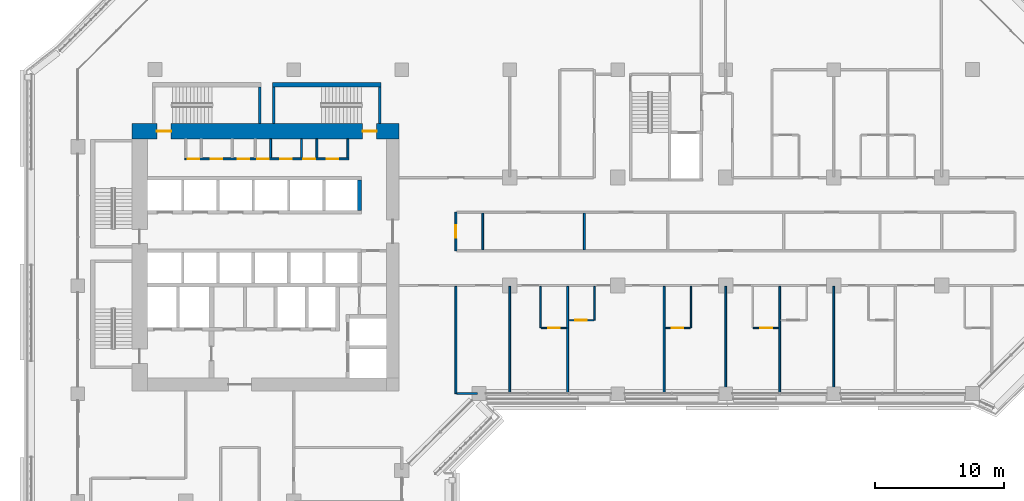
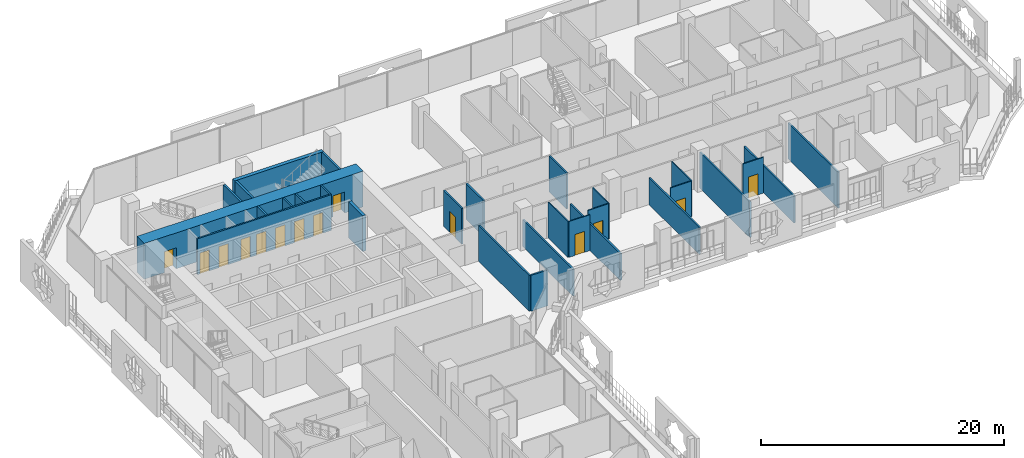
# One storey, part 15 of 25: 29 walls, 14 doors, 14 openings.
"""IFC4 building model written with IfcOpenShell, lengths in metres."""

from ifc_helpers import new_model, si_unit, direction, frame, frame_2d, origin, place, context, subcontext, project, spatial, rectangle, extrude, material, layer, layer_set, type_object, element, fill, save


model = new_model("IFC4")

# Units and contexts
model_context = context("Model", 3, precision=1e-05, world=origin(), true_north=direction((0.0, 1.0)))
body_context = subcontext(model_context, "Body", "Model", "MODEL_VIEW")
ifc_project = project(units=[si_unit("LENGTHUNIT", "METRE"), si_unit("AREAUNIT", "SQUARE_METRE"), si_unit("VOLUMEUNIT", "CUBIC_METRE"), si_unit("PLANEANGLEUNIT", "RADIAN"), si_unit("MASSUNIT", "GRAM", prefix="KILO")], contexts=[model_context])

# Site, building, storey
site_placement = place(None, origin())
site = spatial("IfcSite", under=ifc_project, at=site_placement, CompositionType="ELEMENT")
building_placement = place(site_placement, origin())
building = spatial("IfcBuilding", under=site, at=building_placement, Name="Kawkab Arch Medical Tower", CompositionType="ELEMENT")
storey_placement = place(building_placement, frame((0.0, 0.0, 132.39990234375)))
storey = spatial("IfcBuildingStorey", under=building, at=storey_placement, Name="L30", CompositionType="ELEMENT", Elevation=132.39990234375)

# Wall, openings, doors
ifc_material_1 = material(Name="Concrete C60/75", Category="concrete")
ifc_layer_1 = layer(ifc_material_1, 1.199951171875)
ifc_layer_set_1 = layer_set([ifc_layer_1], Name="Concrete C60/75")
wall_type_1 = type_object("IfcWallType", Name="Core ring wall 1200 C60/75", PredefinedType="SHEAR", material=ifc_layer_set_1)
wall_1_placement = place(storey_placement, frame((4.199951171875, -4.800048828125, 0.0), z_axis=(0.0, 0.0, 1.0), x_axis=(1.0, 0.0, 0.0)))
wall_1 = element("IfcWall", 1, at=wall_1_placement, inside=storey, type_object=wall_type_1, Name="L30 core wall", PredefinedType="SHEAR", context=body_context, shape_type="SweptSolid", body=[
    extrude(rectangle(XDim=20.800048828125, YDim=1.199951171875, at=frame_2d((10.39990234375, 0.0))), origin(), (0.0, 0.0, 1.0), 3.60009765625),
])
opening_1_placement = place(wall_1_placement, frame((1.949951171875, 0.0, 0.0)))
opening_1 = element("IfcOpeningElement", 2, at=opening_1_placement, cuts=wall_1, Name="Opening SD", PredefinedType="OPENING", context=body_context, shape_type="SweptSolid", body=[
    extrude(rectangle(XDim=1.10009765625, YDim=2.10009765625, at=frame_2d((0.550048828125, 1.050048828125))), frame((0.0, 0.60986328125, 0.0), z_axis=(0.0, -1.0, 0.0), x_axis=(1.0, 0.0, 0.0)), (0.0, 0.0, 1.0), 1.219970703125),
])
opening_2_placement = place(wall_1_placement, frame((17.949951171875, 0.0, 0.0)))
opening_2 = element("IfcOpeningElement", 3, at=opening_2_placement, cuts=wall_1, Name="Opening SD", PredefinedType="OPENING", context=body_context, shape_type="SweptSolid", body=[
    extrude(rectangle(XDim=1.10009765625, YDim=2.10009765625, at=frame_2d((0.550048828125, 1.050048828125))), frame((0.0, 0.60986328125, 0.0), z_axis=(0.0, -1.0, 0.0), x_axis=(1.0, 0.0, 0.0)), (0.0, 0.0, 1.0), 1.219970703125),
])
ifc_material_2 = material(Name="Hollow metal fire door leaf")
door_type_1 = type_object("IfcDoorType", Name="Exit stair door 1100", OperationType="SINGLE_SWING_LEFT", PredefinedType="DOOR", material=ifc_material_2)
door_1_placement = place(opening_1_placement, origin())
door_1 = element("IfcDoor", 4, at=door_1_placement, inside=storey, type_object=door_type_1, Name="L30 Exit stair ST3 door", OperationType="SINGLE_SWING_LEFT", OverallHeight=2.10009765625, OverallWidth=1.10009765625, PredefinedType="DOOR", context=body_context, shape_type="SweptSolid", body=[
    extrude(rectangle(XDim=1.10009765625, YDim=2.10009765625, at=frame_2d((0.550048828125, 1.050048828125))), frame((0.0, 0.02490234375, 0.0), z_axis=(0.0, -1.0, 0.0), x_axis=(1.0, 0.0, 0.0)), (0.0, 0.0, 1.0), 0.050048828125),
])
fill(opening_1, door_1)
door_2_placement = place(opening_2_placement, origin())
door_2 = element("IfcDoor", 5, at=door_2_placement, inside=storey, type_object=door_type_1, Name="L30 Exit stair ST4 door", OperationType="SINGLE_SWING_LEFT", OverallHeight=2.10009765625, OverallWidth=1.10009765625, PredefinedType="DOOR", context=body_context, shape_type="SweptSolid", body=[
    extrude(rectangle(XDim=1.10009765625, YDim=2.10009765625, at=frame_2d((0.550048828125, 1.050048828125))), frame((0.0, 0.02490234375, 0.0), z_axis=(0.0, -1.0, 0.0), x_axis=(1.0, 0.0, 0.0)), (0.0, 0.0, 1.0), 0.050048828125),
])
fill(opening_2, door_2)

ifc_material_3 = material(Name="Gypsum board on steel studs", Category="steel")
ifc_layer_2 = layer(ifc_material_3, 0.14990234375)
ifc_layer_set_2 = layer_set([ifc_layer_2], Name="Gypsum board on steel studs")
wall_type_2 = type_object("IfcWallType", Name="Core room partition 150", PredefinedType="PARTITIONING", material=ifc_layer_set_2)
wall_2_placement = place(storey_placement, frame((8.324951171875, -6.949951171875, 0.0), z_axis=(0.0, 0.0, 1.0), x_axis=(1.0, 0.0, 0.0)))
wall_2 = element("IfcWall", 6, at=wall_2_placement, inside=storey, type_object=wall_type_2, Name="L30 core room partition", PredefinedType="PARTITIONING", context=body_context, shape_type="SweptSolid", body=[
    extrude(rectangle(XDim=12.75, YDim=0.14990234375, at=frame_2d((6.375, 0.0))), origin(), (0.0, 0.0, 1.0), 3.60009765625),
])
opening_3_placement = place(wall_2_placement, frame((0.22509765625, 0.0, 0.0)))
opening_3 = element("IfcOpeningElement", 7, at=opening_3_placement, cuts=wall_2, Name="Opening RD", PredefinedType="OPENING", context=body_context, shape_type="SweptSolid", body=[
    extrude(rectangle(XDim=0.89990234375, YDim=2.10009765625, at=frame_2d((0.449951171875, 1.050048828125))), frame((0.0, 0.0849609375, 0.0), z_axis=(0.0, -1.0, 0.0), x_axis=(1.0, 0.0, 0.0)), (0.0, 0.0, 1.0), 0.169921875),
])
opening_4_placement = place(wall_2_placement, frame((2.02490234375, 0.0, 0.0)))
opening_4 = element("IfcOpeningElement", 8, at=opening_4_placement, cuts=wall_2, Name="Opening RD", PredefinedType="OPENING", context=body_context, shape_type="SweptSolid", body=[
    extrude(rectangle(XDim=0.89990234375, YDim=2.10009765625, at=frame_2d((0.449951171875, 1.050048828125))), frame((0.0, 0.0849609375, 0.0), z_axis=(0.0, -1.0, 0.0), x_axis=(1.0, 0.0, 0.0)), (0.0, 0.0, 1.0), 0.169921875),
])
opening_5_placement = place(wall_2_placement, frame((4.125, 0.0, 0.0)))
opening_5 = element("IfcOpeningElement", 9, at=opening_5_placement, cuts=wall_2, Name="Opening RD", PredefinedType="OPENING", context=body_context, shape_type="SweptSolid", body=[
    extrude(rectangle(XDim=0.89990234375, YDim=2.10009765625, at=frame_2d((0.449951171875, 1.050048828125))), frame((0.0, 0.0849609375, 0.0), z_axis=(0.0, -1.0, 0.0), x_axis=(1.0, 0.0, 0.0)), (0.0, 0.0, 1.0), 0.169921875),
])
opening_6_placement = place(wall_2_placement, frame((5.625, 0.0, 0.0)))
opening_6 = element("IfcOpeningElement", 10, at=opening_6_placement, cuts=wall_2, Name="Opening RD", PredefinedType="OPENING", context=body_context, shape_type="SweptSolid", body=[
    extrude(rectangle(XDim=0.89990234375, YDim=2.10009765625, at=frame_2d((0.449951171875, 1.050048828125))), frame((0.0, 0.0849609375, 0.0), z_axis=(0.0, -1.0, 0.0), x_axis=(1.0, 0.0, 0.0)), (0.0, 0.0, 1.0), 0.169921875),
])
opening_7_placement = place(wall_2_placement, frame((7.425048828125, 0.0, 0.0)))
opening_7 = element("IfcOpeningElement", 11, at=opening_7_placement, cuts=wall_2, Name="Opening RD", PredefinedType="OPENING", context=body_context, shape_type="SweptSolid", body=[
    extrude(rectangle(XDim=0.89990234375, YDim=2.10009765625, at=frame_2d((0.449951171875, 1.050048828125))), frame((0.0, 0.0849609375, 0.0), z_axis=(0.0, -1.0, 0.0), x_axis=(1.0, 0.0, 0.0)), (0.0, 0.0, 1.0), 0.169921875),
])
opening_8_placement = place(wall_2_placement, frame((9.22509765625, 0.0, 0.0)))
opening_8 = element("IfcOpeningElement", 12, at=opening_8_placement, cuts=wall_2, Name="Opening RD", PredefinedType="OPENING", context=body_context, shape_type="SweptSolid", body=[
    extrude(rectangle(XDim=0.89990234375, YDim=2.10009765625, at=frame_2d((0.449951171875, 1.050048828125))), frame((0.0, 0.0849609375, 0.0), z_axis=(0.0, -1.0, 0.0), x_axis=(1.0, 0.0, 0.0)), (0.0, 0.0, 1.0), 0.169921875),
])
opening_9_placement = place(wall_2_placement, frame((11.02490234375, 0.0, 0.0)))
opening_9 = element("IfcOpeningElement", 13, at=opening_9_placement, cuts=wall_2, Name="Opening RD", PredefinedType="OPENING", context=body_context, shape_type="SweptSolid", body=[
    extrude(rectangle(XDim=0.89990234375, YDim=2.10009765625, at=frame_2d((0.449951171875, 1.050048828125))), frame((0.0, 0.0849609375, 0.0), z_axis=(0.0, -1.0, 0.0), x_axis=(1.0, 0.0, 0.0)), (0.0, 0.0, 1.0), 0.169921875),
])
ifc_material_4 = material(Name="Hollow metal fire door leaf")
door_type_2 = type_object("IfcDoorType", Name="Core room door 900", OperationType="SINGLE_SWING_LEFT", PredefinedType="DOOR", material=ifc_material_4)
door_3_placement = place(opening_3_placement, origin())
door_3 = element("IfcDoor", 14, at=door_3_placement, inside=storey, type_object=door_type_2, Name="L30 Electrical riser room door", OperationType="SINGLE_SWING_LEFT", OverallHeight=2.10009765625, OverallWidth=0.89990234375, PredefinedType="DOOR", context=body_context, shape_type="SweptSolid", body=[
    extrude(rectangle(XDim=0.89990234375, YDim=2.10009765625, at=frame_2d((0.449951171875, 1.050048828125))), frame((0.0, 0.02490234375, 0.0), z_axis=(0.0, -1.0, 0.0), x_axis=(1.0, 0.0, 0.0)), (0.0, 0.0, 1.0), 0.050048828125),
])
fill(opening_3, door_3)
door_4_placement = place(opening_4_placement, origin())
door_4 = element("IfcDoor", 15, at=door_4_placement, inside=storey, type_object=door_type_2, Name="L30 Comms room door", OperationType="SINGLE_SWING_LEFT", OverallHeight=2.10009765625, OverallWidth=0.89990234375, PredefinedType="DOOR", context=body_context, shape_type="SweptSolid", body=[
    extrude(rectangle(XDim=0.89990234375, YDim=2.10009765625, at=frame_2d((0.449951171875, 1.050048828125))), frame((0.0, 0.02490234375, 0.0), z_axis=(0.0, -1.0, 0.0), x_axis=(1.0, 0.0, 0.0)), (0.0, 0.0, 1.0), 0.050048828125),
])
fill(opening_4, door_4)
door_5_placement = place(opening_5_placement, origin())
door_5 = element("IfcDoor", 16, at=door_5_placement, inside=storey, type_object=door_type_2, Name="L30 Medical gas plant room door", OperationType="SINGLE_SWING_LEFT", OverallHeight=2.10009765625, OverallWidth=0.89990234375, PredefinedType="DOOR", context=body_context, shape_type="SweptSolid", body=[
    extrude(rectangle(XDim=0.89990234375, YDim=2.10009765625, at=frame_2d((0.449951171875, 1.050048828125))), frame((0.0, 0.02490234375, 0.0), z_axis=(0.0, -1.0, 0.0), x_axis=(1.0, 0.0, 0.0)), (0.0, 0.0, 1.0), 0.050048828125),
])
fill(opening_5, door_5)
door_6_placement = place(opening_6_placement, origin())
door_6 = element("IfcDoor", 17, at=door_6_placement, inside=storey, type_object=door_type_2, Name="L30 Sprinkler valve room door", OperationType="SINGLE_SWING_LEFT", OverallHeight=2.10009765625, OverallWidth=0.89990234375, PredefinedType="DOOR", context=body_context, shape_type="SweptSolid", body=[
    extrude(rectangle(XDim=0.89990234375, YDim=2.10009765625, at=frame_2d((0.449951171875, 1.050048828125))), frame((0.0, 0.02490234375, 0.0), z_axis=(0.0, -1.0, 0.0), x_axis=(1.0, 0.0, 0.0)), (0.0, 0.0, 1.0), 0.050048828125),
])
fill(opening_6, door_6)
door_7_placement = place(opening_7_placement, origin())
door_7 = element("IfcDoor", 18, at=door_7_placement, inside=storey, type_object=door_type_2, Name="L30 Housekeeping store door", OperationType="SINGLE_SWING_LEFT", OverallHeight=2.10009765625, OverallWidth=0.89990234375, PredefinedType="DOOR", context=body_context, shape_type="SweptSolid", body=[
    extrude(rectangle(XDim=0.89990234375, YDim=2.10009765625, at=frame_2d((0.449951171875, 1.050048828125))), frame((0.0, 0.02490234375, 0.0), z_axis=(0.0, -1.0, 0.0), x_axis=(1.0, 0.0, 0.0)), (0.0, 0.0, 1.0), 0.050048828125),
])
fill(opening_7, door_7)
door_8_placement = place(opening_8_placement, origin())
door_8 = element("IfcDoor", 19, at=door_8_placement, inside=storey, type_object=door_type_2, Name="L30 Electrical riser room door", OperationType="SINGLE_SWING_LEFT", OverallHeight=2.10009765625, OverallWidth=0.89990234375, PredefinedType="DOOR", context=body_context, shape_type="SweptSolid", body=[
    extrude(rectangle(XDim=0.89990234375, YDim=2.10009765625, at=frame_2d((0.449951171875, 1.050048828125))), frame((0.0, 0.02490234375, 0.0), z_axis=(0.0, -1.0, 0.0), x_axis=(1.0, 0.0, 0.0)), (0.0, 0.0, 1.0), 0.050048828125),
])
fill(opening_8, door_8)
door_9_placement = place(opening_9_placement, origin())
door_9 = element("IfcDoor", 20, at=door_9_placement, inside=storey, type_object=door_type_2, Name="L30 General store door", OperationType="SINGLE_SWING_LEFT", OverallHeight=2.10009765625, OverallWidth=0.89990234375, PredefinedType="DOOR", context=body_context, shape_type="SweptSolid", body=[
    extrude(rectangle(XDim=0.89990234375, YDim=2.10009765625, at=frame_2d((0.449951171875, 1.050048828125))), frame((0.0, 0.02490234375, 0.0), z_axis=(0.0, -1.0, 0.0), x_axis=(1.0, 0.0, 0.0)), (0.0, 0.0, 1.0), 0.050048828125),
])
fill(opening_9, door_9)

# Walls
for number, where, z_axis, x_axis, name in (
    (21, (15.0, -6.875, 0.0), (0.0, 0.0, 1.0), (0.0, 1.0, 0.0), "L30 core room partition"),
    (22, (17.39990234375, -6.875, 0.0), (0.0, 0.0, 1.0), (0.0, 1.0, 0.0), "L30 core room partition"),
    (23, (18.60009765625, -6.875, 0.0), (0.0, 0.0, 1.0), (0.0, 1.0, 0.0), "L30 core room partition"),
    (24, (21.0, -6.875, 0.0), (0.0, 0.0, 1.0), (0.0, 1.0, 0.0), "L30 core room partition"),
):
    element("IfcWall", number, at=place(storey_placement, frame(where, z_axis=z_axis, x_axis=x_axis)), inside=storey, type_object=wall_type_2, Name=name, PredefinedType="PARTITIONING", context=body_context, shape_type="SweptSolid", body=[
        extrude(rectangle(XDim=1.47509765625, YDim=0.14990234375, at=frame_2d((0.737548828125, 0.0))), origin(), (0.0, 0.0, 1.0), 3.60009765625),
    ])
ifc_material_5 = material(Name="Concrete C60/75", Category="concrete")
ifc_layer_3 = layer(ifc_material_5, 0.300048828125)
ifc_layer_set_3 = layer_set([ifc_layer_3], Name="Concrete C60/75")
wall_type_3 = type_object("IfcWallType", Name="Core shear wall 300 C60/75", PredefinedType="SHEAR", material=ifc_layer_set_3)
wall_3_placement = place(storey_placement, frame((21.89990234375, -10.949951171875, 0.0), z_axis=(0.0, 0.0, 1.0), x_axis=(0.0, 1.0, 0.0)))
element("IfcWall", 25, at=wall_3_placement, inside=storey, type_object=wall_type_3, Name="L30 core shear wall", PredefinedType="SHEAR", context=body_context, shape_type="SweptSolid", body=[
    extrude(rectangle(XDim=2.349853515625, YDim=0.300048828125, at=frame_2d((1.1748046875, 0.0))), origin(), (0.0, 0.0, 1.0), 3.60009765625),
])

# Wall, opening, door
ifc_material_6 = material(Name="Gypsum board partition on steel studs", Category="steel")
ifc_layer_4 = layer(ifc_material_6, 0.10009765625)
ifc_layer_set_4 = layer_set([ifc_layer_4], Name="Gypsum board partition on steel studs")
wall_type_4 = type_object("IfcWallType", Name="Partition 100", PredefinedType="PARTITIONING", material=ifc_layer_set_4)
wall_4_placement = place(storey_placement, frame((36.050048828125, -20.10009765625, 0.0), z_axis=(0.0, 0.0, 1.0), x_axis=(1.0, 0.0, 0.0)))
wall_4 = element("IfcWall", 26, at=wall_4_placement, inside=storey, type_object=wall_type_4, Name="Partition 100 w006", PredefinedType="PARTITIONING", context=body_context, shape_type="SweptSolid", body=[
    extrude(rectangle(XDim=1.974853515625, YDim=0.10009765625, at=frame_2d((0.9873046875, 0.0))), origin(), (0.0, 0.0, 1.0), 3.60009765625),
])
opening_10_placement = place(wall_4_placement, frame((0.550048828125, 0.0, 0.0)))
opening_10 = element("IfcOpeningElement", 27, at=opening_10_placement, cuts=wall_4, Name="Opening W25-009", PredefinedType="OPENING", context=body_context, shape_type="SweptSolid", body=[
    extrude(rectangle(XDim=0.89990234375, YDim=2.10009765625, at=frame_2d((0.449951171875, 1.050048828125))), frame((0.0, 0.06005859375, 0.0), z_axis=(0.0, -1.0, 0.0), x_axis=(1.0, 0.0, 0.0)), (0.0, 0.0, 1.0), 0.1201171875),
])
ifc_material_7 = material(Name="Timber door leaf", Category="wood")
door_type_3 = type_object("IfcDoorType", Name="Single door 900x2100", OperationType="NOTDEFINED", PredefinedType="DOOR", material=ifc_material_7)
door_10_placement = place(opening_10_placement, origin())
door_10 = element("IfcDoor", 28, at=door_10_placement, inside=storey, type_object=door_type_3, Name="Door W25-009", OperationType="SINGLE_SWING_RIGHT", OverallHeight=2.10009765625, OverallWidth=0.89990234375, PredefinedType="DOOR", context=body_context, shape_type="SweptSolid", body=[
    extrude(rectangle(XDim=0.89990234375, YDim=2.10009765625, at=frame_2d((0.449951171875, 1.050048828125))), frame((0.0, 0.02490234375, 0.0), z_axis=(0.0, -1.0, 0.0), x_axis=(1.0, 0.0, 0.0)), (0.0, 0.0, 1.0), 0.050048828125),
])
fill(opening_10, door_10)

wall_5_placement = place(storey_placement, frame((45.675048828125, -20.10009765625, 0.0), z_axis=(0.0, 0.0, 1.0), x_axis=(1.0, 0.0, 0.0)))
wall_5 = element("IfcWall", 29, at=wall_5_placement, inside=storey, type_object=wall_type_4, Name="Partition 100 w007", PredefinedType="PARTITIONING", context=body_context, shape_type="SweptSolid", body=[
    extrude(rectangle(XDim=1.974853515625, YDim=0.10009765625, at=frame_2d((0.9873046875, 0.0))), origin(), (0.0, 0.0, 1.0), 3.60009765625),
])
opening_11_placement = place(wall_5_placement, frame((0.52490234375, 0.0, 0.0)))
opening_11 = element("IfcOpeningElement", 30, at=opening_11_placement, cuts=wall_5, Name="Opening W25-011", PredefinedType="OPENING", context=body_context, shape_type="SweptSolid", body=[
    extrude(rectangle(XDim=0.89990234375, YDim=2.10009765625, at=frame_2d((0.449951171875, 1.050048828125))), frame((0.0, 0.06005859375, 0.0), z_axis=(0.0, -1.0, 0.0), x_axis=(1.0, 0.0, 0.0)), (0.0, 0.0, 1.0), 0.1201171875),
])
door_11_placement = place(opening_11_placement, origin())
door_11 = element("IfcDoor", 31, at=door_11_placement, inside=storey, type_object=door_type_3, Name="Door W25-011", OperationType="SINGLE_SWING_LEFT", OverallHeight=2.10009765625, OverallWidth=0.89990234375, PredefinedType="DOOR", context=body_context, shape_type="SweptSolid", body=[
    extrude(rectangle(XDim=0.89990234375, YDim=2.10009765625, at=frame_2d((0.449951171875, 1.050048828125))), frame((0.0, 0.02490234375, 0.0), z_axis=(0.0, -1.0, 0.0), x_axis=(1.0, 0.0, 0.0)), (0.0, 0.0, 1.0), 0.050048828125),
])
fill(opening_11, door_11)

wall_6_placement = place(storey_placement, frame((52.550048828125, -20.10009765625, 0.0), z_axis=(0.0, 0.0, 1.0), x_axis=(1.0, 0.0, 0.0)))
wall_6 = element("IfcWall", 32, at=wall_6_placement, inside=storey, type_object=wall_type_4, Name="Partition 100 w008", PredefinedType="PARTITIONING", context=body_context, shape_type="SweptSolid", body=[
    extrude(rectangle(XDim=1.974853515625, YDim=0.10009765625, at=frame_2d((0.9873046875, 0.0))), origin(), (0.0, 0.0, 1.0), 3.60009765625),
])
opening_12_placement = place(wall_6_placement, frame((0.550048828125, 0.0, 0.0)))
opening_12 = element("IfcOpeningElement", 33, at=opening_12_placement, cuts=wall_6, Name="Opening W25-012", PredefinedType="OPENING", context=body_context, shape_type="SweptSolid", body=[
    extrude(rectangle(XDim=0.89990234375, YDim=2.10009765625, at=frame_2d((0.449951171875, 1.050048828125))), frame((0.0, 0.06005859375, 0.0), z_axis=(0.0, -1.0, 0.0), x_axis=(1.0, 0.0, 0.0)), (0.0, 0.0, 1.0), 0.1201171875),
])
door_12_placement = place(opening_12_placement, origin())
door_12 = element("IfcDoor", 34, at=door_12_placement, inside=storey, type_object=door_type_3, Name="Door W25-012", OperationType="SINGLE_SWING_LEFT", OverallHeight=2.10009765625, OverallWidth=0.89990234375, PredefinedType="DOOR", context=body_context, shape_type="SweptSolid", body=[
    extrude(rectangle(XDim=0.89990234375, YDim=2.10009765625, at=frame_2d((0.449951171875, 1.050048828125))), frame((0.0, 0.02490234375, 0.0), z_axis=(0.0, -1.0, 0.0), x_axis=(1.0, 0.0, 0.0)), (0.0, 0.0, 1.0), 0.050048828125),
])
fill(opening_12, door_12)

wall_7_placement = place(storey_placement, frame((38.175048828125, -19.5, 0.0), z_axis=(0.0, 0.0, 1.0), x_axis=(1.0, 0.0, 0.0)))
wall_7 = element("IfcWall", 35, at=wall_7_placement, inside=storey, type_object=wall_type_4, Name="Partition 100 w010", PredefinedType="PARTITIONING", context=body_context, shape_type="SweptSolid", body=[
    extrude(rectangle(XDim=1.972900390625, YDim=0.10009765625, at=frame_2d((0.986328125, 0.0))), origin(), (0.0, 0.0, 1.0), 3.60009765625),
])
opening_13_placement = place(wall_7_placement, frame((0.52392578125, 0.0, 0.0)))
opening_13 = element("IfcOpeningElement", 36, at=opening_13_placement, cuts=wall_7, Name="Opening W25-010", PredefinedType="OPENING", context=body_context, shape_type="SweptSolid", body=[
    extrude(rectangle(XDim=0.89990234375, YDim=2.10009765625, at=frame_2d((0.449951171875, 1.050048828125))), frame((0.0, 0.06005859375, 0.0), z_axis=(0.0, -1.0, 0.0), x_axis=(1.0, 0.0, 0.0)), (0.0, 0.0, 1.0), 0.1201171875),
])
door_13_placement = place(opening_13_placement, origin())
door_13 = element("IfcDoor", 37, at=door_13_placement, inside=storey, type_object=door_type_3, Name="Door W25-010", OperationType="SINGLE_SWING_LEFT", OverallHeight=2.10009765625, OverallWidth=0.89990234375, PredefinedType="DOOR", context=body_context, shape_type="SweptSolid", body=[
    extrude(rectangle(XDim=0.89990234375, YDim=2.10009765625, at=frame_2d((0.449951171875, 1.050048828125))), frame((0.0, 0.02490234375, 0.0), z_axis=(0.0, -1.0, 0.0), x_axis=(1.0, 0.0, 0.0)), (0.0, 0.0, 1.0), 0.050048828125),
])
fill(opening_13, door_13)

# Walls
wall_8_placement = place(storey_placement, frame((36.0, -20.10009765625, 0.0), z_axis=(0.0, 0.0, 1.0), x_axis=(0.0, 1.0, 0.0)))
element("IfcWall", 38, at=wall_8_placement, inside=storey, type_object=wall_type_4, Name="Partition 100 w018", PredefinedType="PARTITIONING", context=body_context, shape_type="SweptSolid", body=[
    extrude(rectangle(XDim=3.22509765625, YDim=0.10009765625, at=frame_2d((1.612548828125, 0.0))), origin(), (0.0, 0.0, 1.0), 3.60009765625),
])
wall_9_placement = place(storey_placement, frame((40.199951171875, -19.4990234375, 0.0), z_axis=(0.0, 0.0, 1.0), x_axis=(0.0, 1.0, 0.0)))
element("IfcWall", 39, at=wall_9_placement, inside=storey, type_object=wall_type_4, Name="Partition 100 w019", PredefinedType="PARTITIONING", context=body_context, shape_type="SweptSolid", body=[
    extrude(rectangle(XDim=2.6240234375, YDim=0.10009765625, at=frame_2d((1.31201171875, 0.0))), origin(), (0.0, 0.0, 1.0), 3.60009765625),
])
wall_10_placement = place(storey_placement, frame((47.699951171875, -20.10009765625, 0.0), z_axis=(0.0, 0.0, 1.0), x_axis=(0.0, 1.0, 0.0)))
element("IfcWall", 40, at=wall_10_placement, inside=storey, type_object=wall_type_4, Name="Partition 100 w020", PredefinedType="PARTITIONING", context=body_context, shape_type="SweptSolid", body=[
    extrude(rectangle(XDim=3.22509765625, YDim=0.10009765625, at=frame_2d((1.612548828125, 0.0))), origin(), (0.0, 0.0, 1.0), 3.60009765625),
])
ifc_material_8 = material(Name="Gypsum board partition on steel studs, mineral wool", Category="steel")
ifc_layer_5 = layer(ifc_material_8, 0.14990234375)
ifc_layer_set_5 = layer_set([ifc_layer_5], Name="Gypsum board partition on steel studs, mineral wool")
wall_type_5 = type_object("IfcWallType", Name="Partition 150", PredefinedType="PARTITIONING", material=ifc_layer_set_5)
wall_11_placement = place(storey_placement, frame((29.47509765625, -25.199951171875, 0.0), z_axis=(0.0, 0.0, 1.0), x_axis=(1.0, 0.0, 0.0)))
element("IfcWall", 41, at=wall_11_placement, inside=storey, type_object=wall_type_5, Name="Partition 150 w042", PredefinedType="PARTITIONING", context=body_context, shape_type="SweptSolid", body=[
    extrude(rectangle(XDim=1.61181640625, YDim=0.14990234375, at=frame_2d((0.805908203125, 0.0))), origin(), (0.0, 0.0, 1.0), 3.60009765625),
])
wall_12_placement = place(storey_placement, frame((29.39990234375, -25.199951171875, 0.0), z_axis=(0.0, 0.0, 1.0), x_axis=(0.0, 1.0, 0.0)))
element("IfcWall", 42, at=wall_12_placement, inside=storey, type_object=wall_type_5, Name="Partition 150 w062", PredefinedType="PARTITIONING", context=body_context, shape_type="SweptSolid", body=[
    extrude(rectangle(XDim=8.324951171875, YDim=0.14990234375, at=frame_2d((4.16259765625, 0.0))), origin(), (0.0, 0.0, 1.0), 3.60009765625),
])

# Wall, opening, door
wall_13_placement = place(storey_placement, frame((29.39990234375, -14.10009765625, 0.0), z_axis=(0.0, 0.0, 1.0), x_axis=(0.0, 1.0, 0.0)))
wall_13 = element("IfcWall", 43, at=wall_13_placement, inside=storey, type_object=wall_type_5, Name="Partition 150 w063", PredefinedType="PARTITIONING", context=body_context, shape_type="SweptSolid", body=[
    extrude(rectangle(XDim=3.0, YDim=0.14990234375, at=frame_2d((1.5, 0.0))), origin(), (0.0, 0.0, 1.0), 3.60009765625),
])
opening_14_placement = place(wall_13_placement, frame((1.0, 0.0, 0.0)))
opening_14 = element("IfcOpeningElement", 44, at=opening_14_placement, cuts=wall_13, Name="Opening W25-023", PredefinedType="OPENING", context=body_context, shape_type="SweptSolid", body=[
    extrude(rectangle(XDim=1.0, YDim=2.10009765625, at=frame_2d((0.5, 1.050048828125))), frame((0.0, 0.0849609375, 0.0), z_axis=(0.0, -1.0, 0.0), x_axis=(1.0, 0.0, 0.0)), (0.0, 0.0, 1.0), 0.169921875),
])
ifc_material_9 = material(Name="Timber door leaf", Category="wood")
door_type_4 = type_object("IfcDoorType", Name="Single door 1000x2100", OperationType="NOTDEFINED", PredefinedType="DOOR", material=ifc_material_9)
door_14_placement = place(opening_14_placement, origin())
door_14 = element("IfcDoor", 45, at=door_14_placement, inside=storey, type_object=door_type_4, Name="Door W25-023", OperationType="SINGLE_SWING_LEFT", OverallHeight=2.10009765625, OverallWidth=1.0, PredefinedType="DOOR", context=body_context, shape_type="SweptSolid", body=[
    extrude(rectangle(XDim=1.0, YDim=2.10009765625, at=frame_2d((0.5, 1.050048828125))), frame((0.0, 0.02490234375, 0.0), z_axis=(0.0, -1.0, 0.0), x_axis=(1.0, 0.0, 0.0)), (0.0, 0.0, 1.0), 0.050048828125),
])
fill(opening_14, door_14)

# Walls
wall_14_placement = place(storey_placement, frame((31.5, -14.02490234375, 0.0), z_axis=(0.0, 0.0, 1.0), x_axis=(0.0, 1.0, 0.0)))
element("IfcWall", 46, at=wall_14_placement, inside=storey, type_object=wall_type_5, Name="Partition 150 w064", PredefinedType="PARTITIONING", context=body_context, shape_type="SweptSolid", body=[
    extrude(rectangle(XDim=2.849853515625, YDim=0.14990234375, at=frame_2d((1.4248046875, 0.0))), origin(), (0.0, 0.0, 1.0), 3.60009765625),
])
for number, where, z_axis, x_axis, name in (
    (47, (33.60009765625, -25.1201171875, 0.0), (0.0, 0.0, 1.0), (0.0, 1.0, 0.0), "Partition 150 w065"),
    (48, (38.10009765625, -25.1201171875, 0.0), (0.0, 0.0, 1.0), (0.0, 1.0, 0.0), "Partition 150 w068"),
):
    element("IfcWall", number, at=place(storey_placement, frame(where, z_axis=z_axis, x_axis=x_axis)), inside=storey, type_object=wall_type_5, Name=name, PredefinedType="PARTITIONING", context=body_context, shape_type="SweptSolid", body=[
        extrude(rectangle(XDim=8.2451171875, YDim=0.14990234375, at=frame_2d((4.12255859375, 0.0))), origin(), (0.0, 0.0, 1.0), 2.7001953125),
    ])
wall_15_placement = place(storey_placement, frame((39.39990234375, -14.02490234375, 0.0), z_axis=(0.0, 0.0, 1.0), x_axis=(0.0, 1.0, 0.0)))
element("IfcWall", 49, at=wall_15_placement, inside=storey, type_object=wall_type_5, Name="Partition 150 w069", PredefinedType="PARTITIONING", context=body_context, shape_type="SweptSolid", body=[
    extrude(rectangle(XDim=2.849853515625, YDim=0.14990234375, at=frame_2d((1.4248046875, 0.0))), origin(), (0.0, 0.0, 1.0), 3.60009765625),
])
wall_16_placement = place(storey_placement, frame((45.60009765625, -25.1201171875, 0.0), z_axis=(0.0, 0.0, 1.0), x_axis=(0.0, 1.0, 0.0)))
element("IfcWall", 50, at=wall_16_placement, inside=storey, type_object=wall_type_5, Name="Partition 150 w072", PredefinedType="PARTITIONING", context=body_context, shape_type="SweptSolid", body=[
    extrude(rectangle(XDim=8.2451171875, YDim=0.14990234375, at=frame_2d((4.12255859375, 0.0))), origin(), (0.0, 0.0, 1.0), 2.7001953125),
])
wall_17_placement = place(storey_placement, frame((50.39990234375, -25.1201171875, 0.0), z_axis=(0.0, 0.0, 1.0), x_axis=(0.0, 1.0, 0.0)))
element("IfcWall", 51, at=wall_17_placement, inside=storey, type_object=wall_type_5, Name="Partition 150 w076", PredefinedType="PARTITIONING", context=body_context, shape_type="SweptSolid", body=[
    extrude(rectangle(XDim=8.2451171875, YDim=0.14990234375, at=frame_2d((4.12255859375, 0.0))), origin(), (0.0, 0.0, 1.0), 3.60009765625),
])
wall_18_placement = place(storey_placement, frame((54.60009765625, -25.1201171875, 0.0), z_axis=(0.0, 0.0, 1.0), x_axis=(0.0, 1.0, 0.0)))
element("IfcWall", 52, at=wall_18_placement, inside=storey, type_object=wall_type_5, Name="Partition 150 w080", PredefinedType="PARTITIONING", context=body_context, shape_type="SweptSolid", body=[
    extrude(rectangle(XDim=8.2451171875, YDim=0.14990234375, at=frame_2d((4.12255859375, 0.0))), origin(), (0.0, 0.0, 1.0), 2.7001953125),
])
wall_19_placement = place(storey_placement, frame((58.800048828125, -25.1201171875, 0.0), z_axis=(0.0, 0.0, 1.0), x_axis=(0.0, 1.0, 0.0)))
element("IfcWall", 53, at=wall_19_placement, inside=storey, type_object=wall_type_5, Name="Partition 150 w082", PredefinedType="PARTITIONING", context=body_context, shape_type="SweptSolid", body=[
    extrude(rectangle(XDim=8.2451171875, YDim=0.14990234375, at=frame_2d((4.12255859375, 0.0))), origin(), (0.0, 0.0, 1.0), 3.60009765625),
])
ifc_material_10 = material(Name="Concrete C50/60", Category="concrete")
ifc_layer_6 = layer(ifc_material_10, 0.199951171875)
ifc_layer_set_6 = layer_set([ifc_layer_6], Name="Concrete C50/60")
wall_type_6 = type_object("IfcWallType", Name="Stair enclosure wall 200 C50/60", PredefinedType="SHEAR", material=ifc_layer_set_6)
for number, where, z_axis, x_axis, name in (
    (54, (14.14990234375, -4.199951171875, 0.0), (0.0, 0.0, 1.0), (0.0, 1.0, 0.0), "L30 stair enclosure wall"),
    (55, (15.25, -4.199951171875, 0.0), (0.0, 0.0, 1.0), (0.0, 1.0, 0.0), "L30 stair enclosure wall"),
    (56, (23.5, -4.199951171875, 0.0), (0.0, 0.0, 1.0), (0.0, 1.0, 0.0), "L30 stair enclosure wall"),
):
    element("IfcWall", number, at=place(storey_placement, frame(where, z_axis=z_axis, x_axis=x_axis)), inside=storey, type_object=wall_type_6, Name=name, PredefinedType="SHEAR", context=body_context, shape_type="SweptSolid", body=[
        extrude(rectangle(XDim=2.849853515625, YDim=0.199951171875, at=frame_2d((1.4248046875, 0.0))), origin(), (0.0, 0.0, 1.0), 3.60009765625),
    ])
ifc_material_11 = material(Name="Concrete C50/60", Category="concrete")
ifc_layer_7 = layer(ifc_material_11, 0.35009765625)
ifc_layer_set_7 = layer_set([ifc_layer_7], Name="Concrete C50/60")
wall_type_7 = type_object("IfcWallType", Name="Stair enclosure wall 350 C50/60", PredefinedType="SHEAR", material=ifc_layer_set_7)
wall_20_placement = place(storey_placement, frame((15.14990234375, -1.175048828125, 0.0), z_axis=(0.0, 0.0, 1.0), x_axis=(1.0, 0.0, 0.0)))
element("IfcWall", 57, at=wall_20_placement, inside=storey, type_object=wall_type_7, Name="L30 stair enclosure wall", PredefinedType="SHEAR", context=body_context, shape_type="SweptSolid", body=[
    extrude(rectangle(XDim=8.4501953125, YDim=0.35009765625, at=frame_2d((4.22509765625, 0.0))), origin(), (0.0, 0.0, 1.0), 3.60009765625),
])

save(model, "model.ifc")
